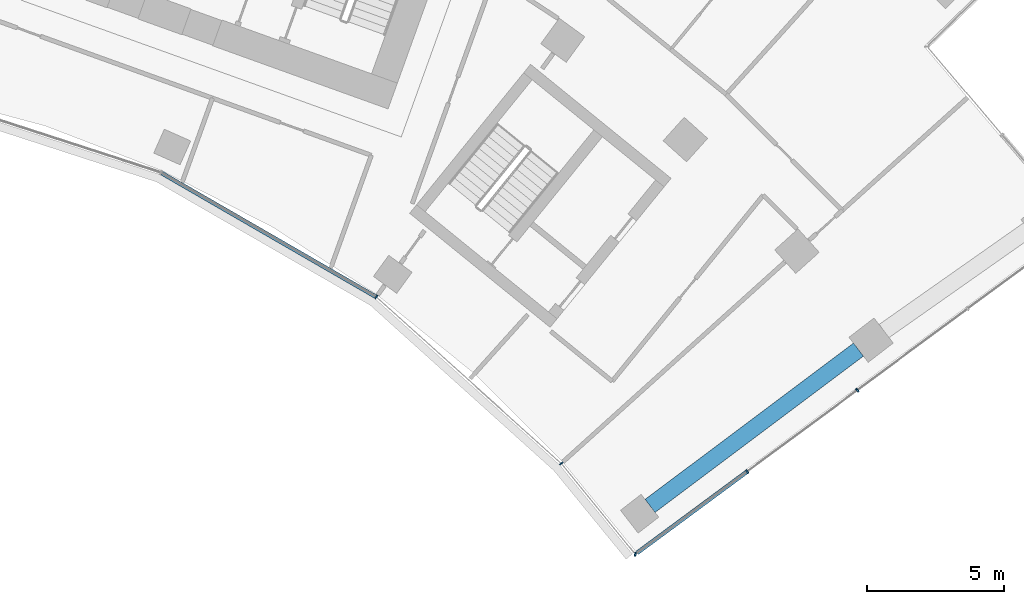
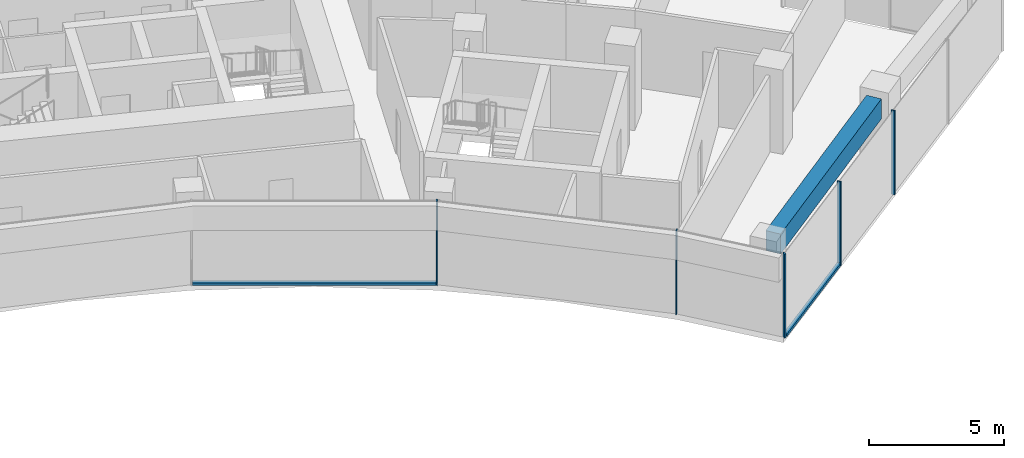
# One storey, part 7 of 17: 7 members, 1 beam, 2 elements without a shape of their own.
"""IFC4 building model written with IfcOpenShell, lengths in metres."""

from ifc_helpers import new_model, si_unit, direction, frame, origin, origin_2d, place, context, subcontext, project, spatial, rectangle, extrude, material, layer, layer_set, material_profile, profile_set, type_object, element, aggregate, save


model = new_model("IFC4")

# Units and contexts
model_context = context("Model", 3, precision=1e-05, world=origin(), true_north=direction((0.0, 1.0)))
body_context = subcontext(model_context, "Body", "Model", "MODEL_VIEW")
ifc_project = project(units=[si_unit("LENGTHUNIT", "METRE"), si_unit("AREAUNIT", "SQUARE_METRE"), si_unit("VOLUMEUNIT", "CUBIC_METRE"), si_unit("PLANEANGLEUNIT", "RADIAN"), si_unit("MASSUNIT", "GRAM", prefix="KILO")], contexts=[model_context])

# Site, building, storey
site_placement = place(None, origin())
site = spatial("IfcSite", under=ifc_project, at=site_placement, CompositionType="ELEMENT")
building_placement = place(site_placement, origin())
building = spatial("IfcBuilding", under=site, at=building_placement, Name="Stone Belt Terrace Tower", CompositionType="ELEMENT")
storey_placement = place(building_placement, frame((0.0, 0.0, 231.39990234375)))
storey = spatial("IfcBuildingStorey", under=building, at=storey_placement, Name="L56", CompositionType="ELEMENT", Elevation=231.39990234375)

# Curtain wall, members
ifc_material_1 = material(Name="Aluminium 6063-T6 anodised frame", Category="aluminium")
ifc_layer_1 = layer(ifc_material_1, 0.14990234375)
ifc_layer_set_1 = layer_set([ifc_layer_1], Name="CW-B unitised concave-face curtain wall")
curtain_wall_type_1 = type_object("IfcCurtainWallType", Name="CW-B unitised concave-face curtain wall", PredefinedType="NOTDEFINED", material=ifc_layer_set_1)
curtain_wall_1_placement = place(storey_placement, origin())
curtain_wall_1 = element("IfcCurtainWall", 1, at=curtain_wall_1_placement, inside=storey, type_object=curtain_wall_type_1, Name="CW-B concave face L56", PredefinedType="NOTDEFINED")
ifc_material_profile_1 = material_profile(ifc_material_1, rectangle(XDim=0.14990234375, YDim=0.050048828125, at=origin_2d()), Name="Aluminium 6063-T6 50x150")
ifc_profile_set_1 = profile_set([ifc_material_profile_1], Name="Aluminium 6063-T6 anodised frame")
member_type_1 = type_object("IfcMemberType", Name="CW-B mullion 50 x 150", PredefinedType="MULLION", material=ifc_profile_set_1)
member_1_placement = place(storey_placement, frame((25.5244140625, 35.13134765625, 0.0), z_axis=(0.0, 0.0, 1.0), x_axis=(0.587785252292, 0.809016994375, 0.0)))
member_1 = element("IfcMember", 2, at=member_1_placement, type_object=member_type_1, Name="CW-B mullion 8", PredefinedType="MULLION", context=body_context, shape_type="SweptSolid", body=[
    extrude(rectangle(XDim=0.14990234375, YDim=0.050048828125, at=origin_2d()), origin(), (0.0, 0.0, 1.0), 3.800048828125),
])
member_2_placement = place(storey_placement, frame((32.2724609375, 29.05517578125, 0.0), z_axis=(0.0, 0.0, 1.0), x_axis=(0.724007879695, 0.689791700544, 0.0)))
member_2 = element("IfcMember", 3, at=member_2_placement, type_object=member_type_1, Name="CW-B mullion 9", PredefinedType="MULLION", context=body_context, shape_type="SweptSolid", body=[
    extrude(rectangle(XDim=0.14990234375, YDim=0.050048828125, at=origin_2d()), origin(), (0.0, 0.0, 1.0), 3.800048828125),
])
ifc_material_profile_2 = material_profile(ifc_material_1, rectangle(XDim=0.14990234375, YDim=0.1201171875, at=origin_2d()), Name="Aluminium 6063-T6 150x120")
ifc_profile_set_2 = profile_set([ifc_material_profile_2], Name="Aluminium 6063-T6 anodised frame")
member_type_2 = type_object("IfcMemberType", Name="CW-B transom 120 x 150", PredefinedType="USERDEFINED", material=ifc_profile_set_2)
member_3_placement = place(storey_placement, frame((17.690673828125, 39.654052734375, 0.06005859375), z_axis=(0.866019133895, -0.500010859609, 0.0), x_axis=(0.500010859609, 0.866019133895, 0.0)))
member_3 = element("IfcMember", 4, at=member_3_placement, type_object=member_type_2, Name="CW-B transom 7.1", ObjectType="TRANSOM", PredefinedType="USERDEFINED", context=body_context, shape_type="SweptSolid", body=[
    extrude(rectangle(XDim=0.14990234375, YDim=0.1201171875, at=origin_2d()), origin(), (0.0, 0.0, 1.0), 9.012939453125),
])
aggregate(curtain_wall_1, [member_1, member_2, member_3])

ifc_layer_2 = layer(ifc_material_1, 0.14990234375)
ifc_layer_set_2 = layer_set([ifc_layer_2], Name="CW-C stick curtain wall, horn ends and notches")
curtain_wall_type_2 = type_object("IfcCurtainWallType", Name="CW-C stick curtain wall, horn ends and notches", PredefinedType="NOTDEFINED", material=ifc_layer_set_2)
curtain_wall_2_placement = place(storey_placement, origin())
curtain_wall_2 = element("IfcCurtainWall", 5, at=curtain_wall_2_placement, inside=storey, type_object=curtain_wall_type_2, Name="CW-C end face L56", PredefinedType="NOTDEFINED")
ifc_material_profile_3 = material_profile(ifc_material_1, rectangle(XDim=0.14990234375, YDim=0.06005859375, at=origin_2d()), Name="Aluminium 6063-T6 60x150")
ifc_profile_set_3 = profile_set([ifc_material_profile_3], Name="Aluminium 6063-T6 anodised frame")
member_type_3 = type_object("IfcMemberType", Name="CW-C mullion 60 x 150", PredefinedType="MULLION", material=ifc_profile_set_3)
member_4_placement = place(storey_placement, frame((34.975341796875, 25.744140625, 0.0), z_axis=(0.0, 0.0, 1.0), x_axis=(0.124625557677, 0.992203845172, 0.0)))
member_4 = element("IfcMember", 6, at=member_4_placement, type_object=member_type_3, Name="CW-C mullion 1", PredefinedType="MULLION", context=body_context, shape_type="SweptSolid", body=[
    extrude(rectangle(XDim=0.14990234375, YDim=0.06005859375, at=origin_2d()), origin(), (0.0, 0.0, 1.0), 3.800048828125),
])
member_5_placement = place(storey_placement, frame((39.054443359375, 28.757568359375, 0.0), z_axis=(0.0, 0.0, 1.0), x_axis=(-0.594184091865, 0.804329077539, 0.0)))
member_5 = element("IfcMember", 7, at=member_5_placement, type_object=member_type_3, Name="CW-C mullion 2", PredefinedType="MULLION", context=body_context, shape_type="SweptSolid", body=[
    extrude(rectangle(XDim=0.14990234375, YDim=0.06005859375, at=origin_2d()), origin(), (0.0, 0.0, 1.0), 3.800048828125),
])
member_6_placement = place(storey_placement, frame((43.076171875, 31.728515625, 0.0), z_axis=(0.0, 0.0, 1.0), x_axis=(-0.594184091865, 0.804329077539, 0.0)))
member_6 = element("IfcMember", 8, at=member_6_placement, type_object=member_type_3, Name="CW-C mullion 3", PredefinedType="MULLION", context=body_context, shape_type="SweptSolid", body=[
    extrude(rectangle(XDim=0.14990234375, YDim=0.06005859375, at=origin_2d()), origin(), (0.0, 0.0, 1.0), 3.800048828125),
])
ifc_material_profile_4 = material_profile(ifc_material_1, rectangle(XDim=0.14990234375, YDim=0.1201171875, at=origin_2d()), Name="Aluminium 6063-T6 150x120")
ifc_profile_set_4 = profile_set([ifc_material_profile_4], Name="Aluminium 6063-T6 anodised frame")
member_type_4 = type_object("IfcMemberType", Name="CW-C transom 120 x 150", PredefinedType="USERDEFINED", material=ifc_profile_set_4)
member_7_placement = place(storey_placement, frame((35.034423828125, 25.787841796875, 0.06005859375), z_axis=(0.804325227642, 0.594189303319, 0.0), x_axis=(-0.594189303319, 0.804325227642, 0.0)))
member_7 = element("IfcMember", 9, at=member_7_placement, type_object=member_type_4, Name="CW-C transom 1.1", ObjectType="TRANSOM", PredefinedType="USERDEFINED", context=body_context, shape_type="SweptSolid", body=[
    extrude(rectangle(XDim=0.14990234375, YDim=0.1201171875, at=origin_2d()), origin(), (0.0, 0.0, 1.0), 4.968017578125),
])
aggregate(curtain_wall_2, [member_4, member_5, member_6, member_7])

# Beam
ifc_material_2 = material(Name="Concrete B60", Category="concrete")
ifc_material_profile_5 = material_profile(ifc_material_2, rectangle(XDim=0.60009765625, YDim=0.89990234375, at=origin_2d()), Name="RC 600x900")
ifc_profile_set_5 = profile_set([ifc_material_profile_5], Name="Concrete B60")
beam_type = type_object("IfcBeamType", Name="Edge beam RC 600x900 B60", PredefinedType="SPANDREL", material=ifc_profile_set_5)
beam_placement = place(storey_placement, frame((35.51318359375, 27.5068359375, 3.030029296875), z_axis=(0.800073960697, 0.599901373073, 0.0), x_axis=(-0.599901373073, 0.800073960697, 0.0)))
element("IfcBeam", 10, at=beam_placement, inside=storey, type_object=beam_type, Name="Edge beam L56 B P to Q", PredefinedType="SPANDREL", context=body_context, shape_type="SweptSolid", body=[
    extrude(rectangle(XDim=0.60009765625, YDim=0.89990234375, at=origin_2d()), origin(), (0.0, 0.0, 1.0), 9.505859375),
])

save(model, "model.ifc")
